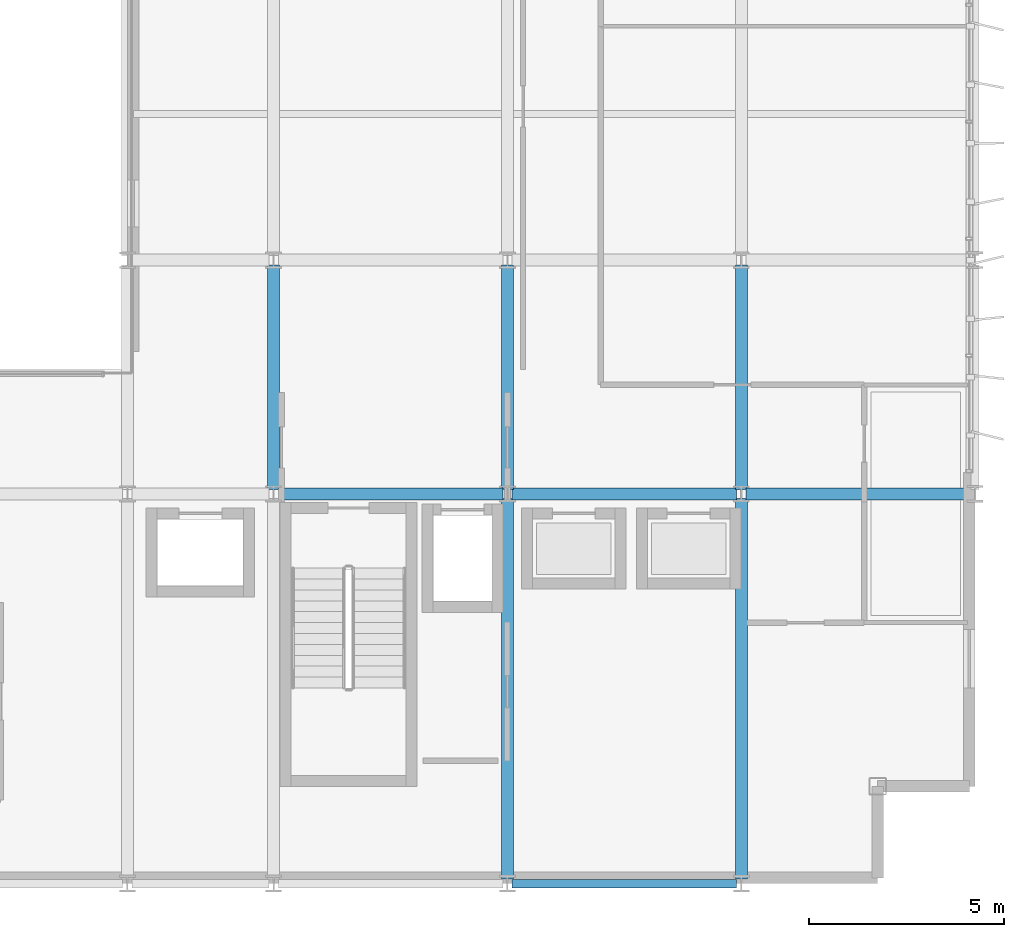
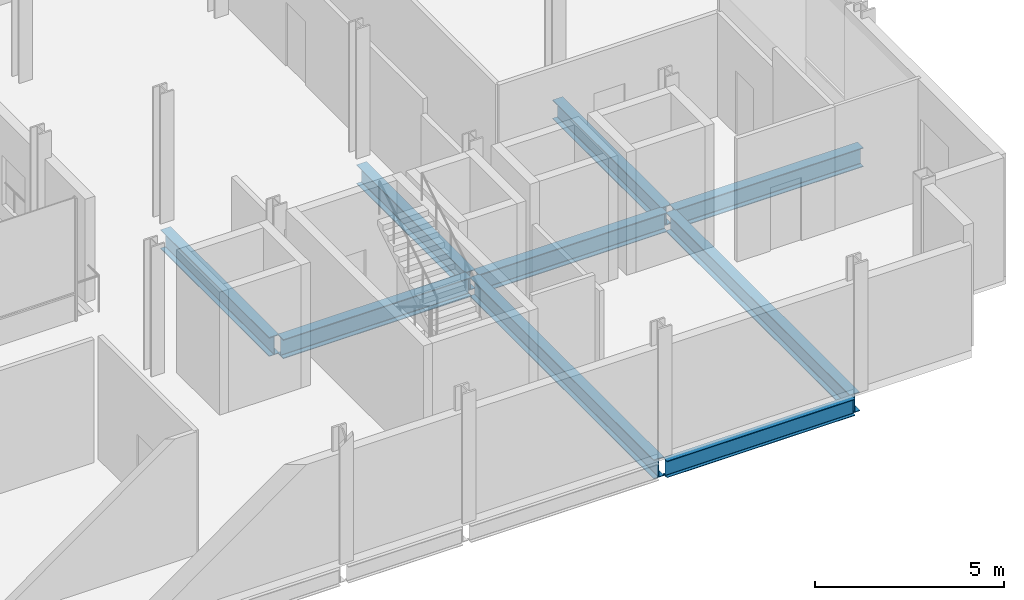
# One storey, part 14 of 32: 9 beams.
"""IFC4 building model written with IfcOpenShell, lengths in metres."""

from ifc_helpers import new_model, si_unit, direction, frame, origin, origin_2d, place, context, subcontext, project, spatial, i_section, extrude, material, material_profile, profile_set, type_object, element, save


model = new_model("IFC4")

# Units and contexts
model_context = context("Model", 3, precision=1e-05, world=origin(), true_north=direction((0.0, 1.0)))
body_context = subcontext(model_context, "Body", "Model", "MODEL_VIEW")
ifc_project = project(units=[si_unit("LENGTHUNIT", "METRE"), si_unit("AREAUNIT", "SQUARE_METRE"), si_unit("VOLUMEUNIT", "CUBIC_METRE"), si_unit("PLANEANGLEUNIT", "RADIAN"), si_unit("MASSUNIT", "GRAM", prefix="KILO")], contexts=[model_context])

# Site, building, storey
site_placement = place(None, origin())
site = spatial("IfcSite", under=ifc_project, at=site_placement, CompositionType="ELEMENT")
building_placement = place(site_placement, origin())
building = spatial("IfcBuilding", under=site, at=building_placement, Name="Brevholm Reach", CompositionType="ELEMENT")
storey_placement = place(building_placement, frame((0.0, 0.0, 134.5)))
storey = spatial("IfcBuildingStorey", under=building, at=storey_placement, Name="L40", CompositionType="ELEMENT", Elevation=134.5)

# Beams
ifc_material_1 = material(Name="Structural Steel S355J2", Category="steel")
ifc_material_profile_1 = material_profile(ifc_material_1, i_section(OverallWidth=0.210693359375, OverallDepth=0.53955078125, WebThickness=0.01171875, FlangeThickness=0.018798828125, FilletRadius=0.0126953125, at=origin_2d()), Name="UKB 533x210x109")
ifc_profile_set_1 = profile_set([ifc_material_profile_1], Name="Structural Steel S355J2")
beam_type_1 = type_object("IfcBeamType", Name="BM-SP539", PredefinedType="SPANDREL", material=ifc_profile_set_1)
beam_1_placement = place(storey_placement, frame((48.1201171875, 0.0, -0.519775390625), z_axis=(1.0, 0.0, 0.0), x_axis=(0.0, 1.0, 0.0)))
element("IfcBeam", 1, at=beam_1_placement, inside=storey, type_object=beam_type_1, Name="L40 SP-01B Framing Beam", PredefinedType="SPANDREL", context=body_context, shape_type="SweptSolid", body=[
    extrude(i_section(OverallWidth=0.210693359375, OverallDepth=0.53955078125, WebThickness=0.01171875, FlangeThickness=0.018798828125, FilletRadius=0.0126953125, at=origin_2d()), origin(), (0.0, 0.0, 1.0), 5.759765625),
])
ifc_material_2 = material(Name="Structural Steel S355J2", Category="steel")
ifc_material_profile_2 = material_profile(ifc_material_2, i_section(OverallWidth=0.30712890625, OverallDepth=0.6201171875, WebThickness=0.01416015625, FlangeThickness=0.023681640625, FilletRadius=0.0166015625, at=origin_2d()), Name="UKB 610x305x179")
ifc_profile_set_2 = profile_set([ifc_material_profile_2], Name="Structural Steel S355J2")
beam_type_2 = type_object("IfcBeamType", Name="BM-UKB610H", PredefinedType="USERDEFINED", material=ifc_profile_set_2)
for number, where, z_axis, x_axis, name in (
    (2, (42.1201171875, 10.0, -0.56005859375), (1.0, 0.0, 0.0), (0.0, 1.0, 0.0), "L40 G-06 Framing Beam"),
    (3, (48.1201171875, 10.0, -0.56005859375), (1.0, 0.0, 0.0), (0.0, 1.0, 0.0), "L40 G-06 Framing Beam"),
    (4, (54.1201171875, 10.0, -0.56005859375), (1.0, 0.0, 0.0), (0.0, 1.0, 0.0), "L40 G-06 Framing Beam"),
    (5, (42.0, 10.1201171875, -0.56005859375), (0.0, 1.0, 0.0), (-1.0, 0.0, 0.0), "L40 G-06 Framing Beam"),
):
    element("IfcBeam", number, at=place(storey_placement, frame(where, z_axis=z_axis, x_axis=x_axis)), inside=storey, type_object=beam_type_2, Name=name, ObjectType="GIRDER", PredefinedType="USERDEFINED", context=body_context, shape_type="SweptSolid", body=[
        extrude(i_section(OverallWidth=0.30712890625, OverallDepth=0.6201171875, WebThickness=0.01416015625, FlangeThickness=0.023681640625, FilletRadius=0.0166015625, at=origin_2d()), origin(), (0.0, 0.0, 1.0), 5.759765625),
    ])
beam_2_placement = place(storey_placement, frame((48.0, 0.1201171875, -0.56005859375), z_axis=(0.0, 1.0, 0.0), x_axis=(-1.0, 0.0, 0.0)))
element("IfcBeam", 6, at=beam_2_placement, inside=storey, type_object=beam_type_2, Name="L40 G-06 Framing Beam", ObjectType="GIRDER", PredefinedType="USERDEFINED", context=body_context, shape_type="SweptSolid", body=[
    extrude(i_section(OverallWidth=0.30712890625, OverallDepth=0.6201171875, WebThickness=0.01416015625, FlangeThickness=0.023681640625, FilletRadius=0.0166015625, at=origin_2d()), origin(), (0.0, 0.0, 1.0), 9.759765625),
])
beam_3_placement = place(storey_placement, frame((48.0, 10.1201171875, -0.56005859375), z_axis=(0.0, 1.0, 0.0), x_axis=(-1.0, 0.0, 0.0)))
element("IfcBeam", 7, at=beam_3_placement, inside=storey, type_object=beam_type_2, Name="L40 G-06 Framing Beam", ObjectType="GIRDER", PredefinedType="USERDEFINED", context=body_context, shape_type="SweptSolid", body=[
    extrude(i_section(OverallWidth=0.30712890625, OverallDepth=0.6201171875, WebThickness=0.01416015625, FlangeThickness=0.023681640625, FilletRadius=0.0166015625, at=origin_2d()), origin(), (0.0, 0.0, 1.0), 5.759765625),
])
beam_4_placement = place(storey_placement, frame((54.0, 0.1201171875, -0.56005859375), z_axis=(0.0, 1.0, 0.0), x_axis=(-1.0, 0.0, 0.0)))
element("IfcBeam", 8, at=beam_4_placement, inside=storey, type_object=beam_type_2, Name="L40 G-06 Framing Beam", ObjectType="GIRDER", PredefinedType="USERDEFINED", context=body_context, shape_type="SweptSolid", body=[
    extrude(i_section(OverallWidth=0.30712890625, OverallDepth=0.6201171875, WebThickness=0.01416015625, FlangeThickness=0.023681640625, FilletRadius=0.0166015625, at=origin_2d()), origin(), (0.0, 0.0, 1.0), 9.759765625),
])
beam_5_placement = place(storey_placement, frame((54.0, 10.1201171875, -0.56005859375), z_axis=(0.0, 1.0, 0.0), x_axis=(-1.0, 0.0, 0.0)))
element("IfcBeam", 9, at=beam_5_placement, inside=storey, type_object=beam_type_2, Name="L40 G-06 Framing Beam", ObjectType="GIRDER", PredefinedType="USERDEFINED", context=body_context, shape_type="SweptSolid", body=[
    extrude(i_section(OverallWidth=0.30712890625, OverallDepth=0.6201171875, WebThickness=0.01416015625, FlangeThickness=0.023681640625, FilletRadius=0.0166015625, at=origin_2d()), origin(), (0.0, 0.0, 1.0), 5.759765625),
])

save(model, "model.ifc")
